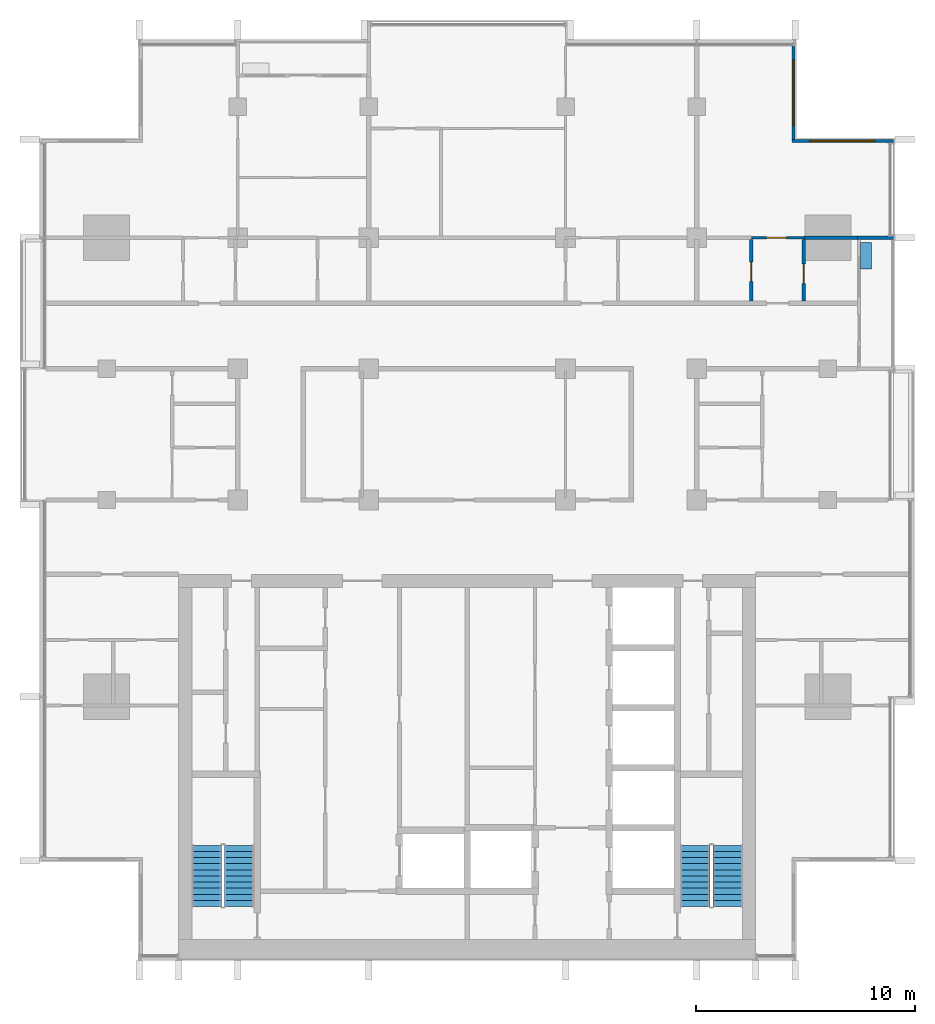
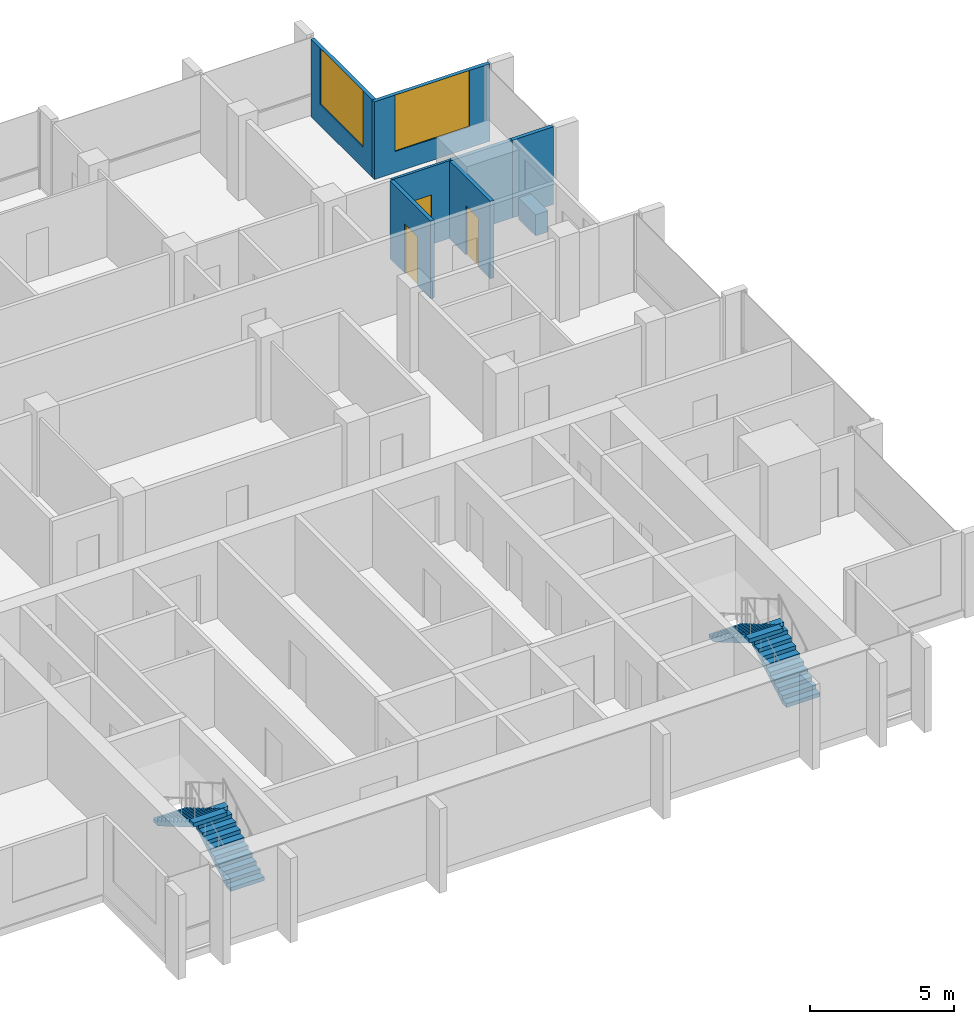
# One storey, part 11 of 16: 8 walls, 4 stair flights, 3 doors, 2 windows, 5 openings, 2 elements without a shape of their own.
"""IFC4 building model written with IfcOpenShell, lengths in metres."""

from ifc_helpers import new_model, si_unit, direction, frame, frame_2d, origin, place, context, subcontext, project, spatial, polyline, rectangle, outline, extrude, material, layer, layer_set, type_object, element, fill, aggregate, save


model = new_model("IFC4")

# Units and contexts
model_context = context("Model", 3, precision=1e-05, world=origin(), true_north=direction((0.0, 1.0)))
body_context = subcontext(model_context, "Body", "Model", "MODEL_VIEW")
ifc_project = project(units=[si_unit("LENGTHUNIT", "METRE"), si_unit("AREAUNIT", "SQUARE_METRE"), si_unit("VOLUMEUNIT", "CUBIC_METRE"), si_unit("PLANEANGLEUNIT", "RADIAN"), si_unit("MASSUNIT", "GRAM", prefix="KILO")], contexts=[model_context])

# Site, building, storey
site_placement = place(None, origin())
site = spatial("IfcSite", under=ifc_project, at=site_placement, CompositionType="ELEMENT")
building_placement = place(site_placement, origin())
building = spatial("IfcBuilding", under=site, at=building_placement, Name="Finial Court Residences", CompositionType="ELEMENT")
storey_placement = place(building_placement, frame((0.0, 0.0, 237.5)))
storey = spatial("IfcBuildingStorey", under=building, at=storey_placement, Name="L60", CompositionType="ELEMENT", Elevation=237.5)

# Wall, opening, door
ifc_material_1 = material(Name="Gypsum board")
ifc_layer_1 = layer(ifc_material_1, 0.012451171875)
ifc_material_2 = material(Name="Mineral wool in light-gauge frame")
ifc_layer_2 = layer(ifc_material_2, 0.074951171875)
ifc_layer_3 = layer(ifc_material_1, 0.012451171875)
ifc_layer_set_1 = layer_set([ifc_layer_1, ifc_layer_2, ifc_layer_3], Name="Gypsum board partition 100")
wall_type_1 = type_object("IfcWallType", Name="Gypsum board partition 100", PredefinedType="PARTITIONING", material=ifc_layer_set_1)
wall_1_placement = place(storey_placement, frame((13.0, 7.5, 0.0), z_axis=(0.0, 0.0, 1.0), x_axis=(1.0, 0.0, 0.0)))
wall_1 = element("IfcWall", 1, at=wall_1_placement, inside=storey, type_object=wall_type_1, Name="Partition L60-020", PredefinedType="PARTITIONING", context=body_context, shape_type="SweptSolid", body=[
    extrude(rectangle(XDim=2.39990234375, YDim=0.10009765625, at=frame_2d((1.199951171875, 0.0))), origin(), (0.0, 0.0, 1.0), 3.300048828125),
])
opening_1_placement = place(wall_1_placement, frame((0.699951171875, 0.0, 0.0)))
opening_1 = element("IfcOpeningElement", 2, at=opening_1_placement, cuts=wall_1, Name="Opening L60-D021", PredefinedType="OPENING", context=body_context, shape_type="SweptSolid", body=[
    extrude(rectangle(XDim=0.89990234375, YDim=2.10009765625, at=frame_2d((0.449951171875, 1.050048828125))), frame((0.0, 0.06005859375, 0.0), z_axis=(0.0, -1.0, 0.0), x_axis=(1.0, 0.0, 0.0)), (0.0, 0.0, 1.0), 0.1201171875),
])
ifc_material_3 = material(Name="Timber door leaf in timber frame", Category="wood")
door_type = type_object("IfcDoorType", Name="Door set 900 x 2100", OperationType="SINGLE_SWING_LEFT", PredefinedType="DOOR", material=ifc_material_3)
door_1_placement = place(opening_1_placement, origin())
door_1 = element("IfcDoor", 3, at=door_1_placement, inside=storey, type_object=door_type, Name="Door L60-D021", OperationType="SINGLE_SWING_RIGHT", OverallHeight=2.10009765625, OverallWidth=0.89990234375, PredefinedType="DOOR", context=body_context, shape_type="SweptSolid", body=[
    extrude(rectangle(XDim=0.89990234375, YDim=2.10009765625, at=frame_2d((0.449951171875, 1.050048828125))), frame((0.0, 0.02490234375, 0.0), z_axis=(0.0, -1.0, 0.0), x_axis=(1.0, 0.0, 0.0)), (0.0, 0.0, 1.0), 0.050048828125),
])
fill(opening_1, door_1)

# Wall
ifc_material_4 = material(Name="Moisture-resistant gypsum board")
ifc_layer_4 = layer(ifc_material_4, 0.012451171875)
ifc_layer_5 = layer(ifc_material_2, 0.125)
ifc_layer_6 = layer(ifc_material_4, 0.012451171875)
ifc_layer_set_2 = layer_set([ifc_layer_4, ifc_layer_5, ifc_layer_6], Name="Gypsum board wet-area partition 150")
wall_type_2 = type_object("IfcWallType", Name="Gypsum board wet-area partition 150", PredefinedType="PARTITIONING", material=ifc_layer_set_2)
wall_2_placement = place(storey_placement, frame((15.39990234375, 7.5, 0.0), z_axis=(0.0, 0.0, 1.0), x_axis=(1.0, 0.0, 0.0)))
element("IfcWall", 4, at=wall_2_placement, inside=storey, type_object=wall_type_2, Name="Partition L60-025", PredefinedType="PARTITIONING", context=body_context, shape_type="SweptSolid", body=[
    extrude(rectangle(XDim=2.4501953125, YDim=0.14990234375, at=frame_2d((1.22509765625, 0.0))), origin(), (0.0, 0.0, 1.0), 3.300048828125),
])

# Wall, opening, door
wall_3_placement = place(storey_placement, frame((13.0, 4.60009765625, 0.0), z_axis=(0.0, 0.0, 1.0), x_axis=(0.0, 1.0, 0.0)))
wall_3 = element("IfcWall", 5, at=wall_3_placement, inside=storey, type_object=wall_type_2, Name="Partition L60-050", PredefinedType="PARTITIONING", context=body_context, shape_type="SweptSolid", body=[
    extrude(rectangle(XDim=2.824951171875, YDim=0.14990234375, at=frame_2d((1.41259765625, 0.0))), origin(), (0.0, 0.0, 1.0), 3.300048828125),
])
opening_2_placement = place(wall_3_placement, frame((0.89990234375, 0.0, 0.0)))
opening_2 = element("IfcOpeningElement", 6, at=opening_2_placement, cuts=wall_3, Name="Opening L60-D034", PredefinedType="OPENING", context=body_context, shape_type="SweptSolid", body=[
    extrude(rectangle(XDim=0.89990234375, YDim=2.10009765625, at=frame_2d((0.449951171875, 1.050048828125))), frame((0.0, 0.0849609375, 0.0), z_axis=(0.0, -1.0, 0.0), x_axis=(1.0, 0.0, 0.0)), (0.0, 0.0, 1.0), 0.169921875),
])
door_2_placement = place(opening_2_placement, origin())
door_2 = element("IfcDoor", 7, at=door_2_placement, inside=storey, type_object=door_type, Name="Door L60-D034", OperationType="SINGLE_SWING_RIGHT", OverallHeight=2.10009765625, OverallWidth=0.89990234375, PredefinedType="DOOR", context=body_context, shape_type="SweptSolid", body=[
    extrude(rectangle(XDim=0.89990234375, YDim=2.10009765625, at=frame_2d((0.449951171875, 1.050048828125))), frame((0.0, 0.02490234375, 0.0), z_axis=(0.0, -1.0, 0.0), x_axis=(1.0, 0.0, 0.0)), (0.0, 0.0, 1.0), 0.050048828125),
])
fill(opening_2, door_2)

wall_4_placement = place(storey_placement, frame((15.39990234375, 4.60009765625, 0.0), z_axis=(0.0, 0.0, 1.0), x_axis=(0.0, 1.0, 0.0)))
wall_4 = element("IfcWall", 8, at=wall_4_placement, inside=storey, type_object=wall_type_2, Name="Partition L60-053", PredefinedType="PARTITIONING", context=body_context, shape_type="SweptSolid", body=[
    extrude(rectangle(XDim=2.824951171875, YDim=0.14990234375, at=frame_2d((1.41259765625, 0.0))), origin(), (0.0, 0.0, 1.0), 3.300048828125),
])
opening_3_placement = place(wall_4_placement, frame((0.800048828125, 0.0, 0.0)))
opening_3 = element("IfcOpeningElement", 9, at=opening_3_placement, cuts=wall_4, Name="Opening L60-D037", PredefinedType="OPENING", context=body_context, shape_type="SweptSolid", body=[
    extrude(rectangle(XDim=0.89990234375, YDim=2.10009765625, at=frame_2d((0.449951171875, 1.050048828125))), frame((0.0, 0.0849609375, 0.0), z_axis=(0.0, -1.0, 0.0), x_axis=(1.0, 0.0, 0.0)), (0.0, 0.0, 1.0), 0.169921875),
])
door_3_placement = place(opening_3_placement, origin())
door_3 = element("IfcDoor", 10, at=door_3_placement, inside=storey, type_object=door_type, Name="Door L60-D037", OperationType="SINGLE_SWING_LEFT", OverallHeight=2.10009765625, OverallWidth=0.89990234375, PredefinedType="DOOR", context=body_context, shape_type="SweptSolid", body=[
    extrude(rectangle(XDim=0.89990234375, YDim=2.10009765625, at=frame_2d((0.449951171875, 1.050048828125))), frame((0.0, 0.02490234375, 0.0), z_axis=(0.0, -1.0, 0.0), x_axis=(1.0, 0.0, 0.0)), (0.0, 0.0, 1.0), 0.050048828125),
])
fill(opening_3, door_3)

# Wall, opening, window
ifc_material_5 = material(Name="Natural limestone", Category="masonry")
ifc_layer_7 = layer(ifc_material_5, 0.14990234375)
ifc_layer_set_3 = layer_set([ifc_layer_7], Name="Limestone clad wall 150")
wall_type_3 = type_object("IfcWallType", Name="Limestone clad wall 150", PredefinedType="SOLIDWALL", material=ifc_layer_set_3)
wall_5_placement = place(storey_placement, frame((14.925048828125, 16.262451171875, 0.0), z_axis=(0.0, 0.0, 1.0), x_axis=(0.0, -1.0, 0.0)))
wall_5 = element("IfcWall", 11, at=wall_5_placement, inside=storey, type_object=wall_type_3, Name="E-L60-NWE19", PredefinedType="SOLIDWALL", context=body_context, shape_type="SweptSolid", body=[
    extrude(rectangle(XDim=4.262451171875, YDim=0.14990234375, at=frame_2d((2.13134765625, 0.0))), origin(), (0.0, 0.0, 1.0), 3.300048828125),
])
opening_4_placement = place(wall_5_placement, frame((0.631103515625, 0.0, 0.89990234375)))
opening_4 = element("IfcOpeningElement", 12, at=opening_4_placement, cuts=wall_5, Name="Opening WE60-07", PredefinedType="OPENING", context=body_context, shape_type="SweptSolid", body=[
    extrude(rectangle(XDim=3.0, YDim=2.39990234375, at=frame_2d((1.5, 1.199951171875))), frame((0.0, 0.0849609375, 0.0), z_axis=(0.0, -1.0, 0.0), x_axis=(1.0, 0.0, 0.0)), (0.0, 0.0, 1.0), 0.169921875),
])
ifc_material_6 = material(Name="Clear low-e glass", Category="glass")
window_type = type_object("IfcWindowType", Name="Corner window 3000 x 2400", PartitioningType="SINGLE_PANEL", PredefinedType="WINDOW", material=ifc_material_6)
window_1_placement = place(opening_4_placement, origin())
window_1 = element("IfcWindow", 13, at=window_1_placement, inside=storey, type_object=window_type, Name="E-L60-NWE19-W1", OverallHeight=2.39990234375, OverallWidth=3.0, PartitioningType="SINGLE_PANEL", PredefinedType="WINDOW", context=body_context, shape_type="SweptSolid", body=[
    extrude(rectangle(XDim=3.0, YDim=2.39990234375, at=frame_2d((1.5, 1.199951171875))), frame((0.0, 0.030029296875, 0.0), z_axis=(0.0, -1.0, 0.0), x_axis=(1.0, 0.0, 0.0)), (0.0, 0.0, 1.0), 0.06005859375),
])
fill(opening_4, window_1)

wall_6_placement = place(storey_placement, frame((14.85009765625, 11.925048828125, 0.0), z_axis=(0.0, 0.0, 1.0), x_axis=(1.0, 0.0, 0.0)))
wall_6 = element("IfcWall", 14, at=wall_6_placement, inside=storey, type_object=wall_type_3, Name="E-L60-NWN20", PredefinedType="SOLIDWALL", context=body_context, shape_type="SweptSolid", body=[
    extrude(rectangle(XDim=4.64990234375, YDim=0.14990234375, at=frame_2d((2.324951171875, 0.0))), origin(), (0.0, 0.0, 1.0), 3.300048828125),
])
opening_5_placement = place(wall_6_placement, frame((0.824951171875, 0.0, 0.89990234375)))
opening_5 = element("IfcOpeningElement", 15, at=opening_5_placement, cuts=wall_6, Name="Opening WE60-08", PredefinedType="OPENING", context=body_context, shape_type="SweptSolid", body=[
    extrude(rectangle(XDim=3.0, YDim=2.39990234375, at=frame_2d((1.5, 1.199951171875))), frame((0.0, 0.0849609375, 0.0), z_axis=(0.0, -1.0, 0.0), x_axis=(1.0, 0.0, 0.0)), (0.0, 0.0, 1.0), 0.169921875),
])
window_2_placement = place(opening_5_placement, origin())
window_2 = element("IfcWindow", 16, at=window_2_placement, inside=storey, type_object=window_type, Name="E-L60-NWN20-W1", OverallHeight=2.39990234375, OverallWidth=3.0, PartitioningType="SINGLE_PANEL", PredefinedType="WINDOW", context=body_context, shape_type="SweptSolid", body=[
    extrude(rectangle(XDim=3.0, YDim=2.39990234375, at=frame_2d((1.5, 1.199951171875))), frame((0.0, 0.030029296875, 0.0), z_axis=(0.0, -1.0, 0.0), x_axis=(1.0, 0.0, 0.0)), (0.0, 0.0, 1.0), 0.06005859375),
])
fill(opening_5, window_2)

# Walls
wall_7_placement = place(storey_placement, frame((17.85009765625, 7.5, 0.0), z_axis=(0.0, 0.0, 1.0), x_axis=(1.0, 0.0, 0.0)))
element("IfcWall", 17, at=wall_7_placement, inside=storey, type_object=wall_type_3, Name="E-L60-BALE4-P2", PredefinedType="SOLIDWALL", context=body_context, shape_type="SweptSolid", body=[
    extrude(rectangle(XDim=1.64990234375, YDim=0.14990234375, at=frame_2d((0.824951171875, 0.0))), origin(), (0.0, 0.0, 1.0), 3.300048828125),
])
ifc_material_7 = material(Name="Concrete C40/50", Category="concrete")
ifc_layer_8 = layer(ifc_material_7, 0.10009765625)
ifc_material_8 = material(Name="Planting soil", Category="soil")
ifc_layer_9 = layer(ifc_material_8, 0.300048828125)
ifc_layer_10 = layer(ifc_material_7, 0.10009765625)
ifc_layer_set_4 = layer_set([ifc_layer_8, ifc_layer_9, ifc_layer_10], Name="Planter wall, balcony")
wall_type_4 = type_object("IfcWallType", Name="Planter wall, balcony", PredefinedType="USERDEFINED", material=ifc_layer_set_4)
wall_8_placement = place(storey_placement, frame((18.25, 6.074951171875, 0.0), z_axis=(0.0, 0.0, 1.0), x_axis=(0.0, 1.0, 0.0)))
element("IfcWall", 18, at=wall_8_placement, inside=storey, type_object=wall_type_4, Name="E-L60-BALE4-PL", ObjectType="PLANTER", PredefinedType="USERDEFINED", context=body_context, shape_type="SweptSolid", body=[
    extrude(rectangle(XDim=1.199951171875, YDim=0.5, at=frame_2d((0.60009765625, 0.0))), origin(), (0.0, 0.0, 1.0), 0.89990234375),
])

# Stair, stair flights
ifc_material_9 = material(Name="Concrete C50/60", Category="concrete")
stair_type = type_object("IfcStairType", Name="Exit stair 22 risers of 163.6 mm", PredefinedType="HALF_TURN_STAIR", material=ifc_material_9)
stair_1_placement = place(storey_placement, origin())
stair_1 = element("IfcStair", 19, at=stair_1_placement, inside=storey, type_object=stair_type, Name="L60 Exit stair ST-1", PredefinedType="HALF_TURN_STAIR")
stair_flight_type = type_object("IfcStairFlightType", Name="Exit stair flight", PredefinedType="STRAIGHT", material=ifc_material_9)
stair_flight_1_placement = place(storey_placement, frame((-10.425048828125, -23.10009765625, 0.0), z_axis=(0.0, 0.0, 1.0), x_axis=(0.0, 1.0, 0.0)))
stair_flight_1 = element("IfcStairFlight", 20, at=stair_flight_1_placement, type_object=stair_flight_type, Name="ST-1 flight 1", NumberOfRisers=11, NumberOfTreads=10, PredefinedType="STRAIGHT", RiserHeight=0.163636364, TreadLength=0.28, context=body_context, shape_type="SweptSolid", body=[
    extrude(outline(polyline([(0.0, 0.0), (0.0, 0.16357421875), (0.280029296875, 0.16357421875), (0.280029296875, 0.327392578125), (0.56005859375, 0.327392578125), (0.56005859375, 0.490966796875), (0.840087890625, 0.490966796875), (0.840087890625, 0.654541015625), (1.1201171875, 0.654541015625), (1.1201171875, 0.818115234375), (1.39990234375, 0.818115234375), (1.39990234375, 0.98193359375), (1.679931640625, 0.98193359375), (1.679931640625, 1.1455078125), (1.9599609375, 1.1455078125), (1.9599609375, 1.30908203125), (2.239990234375, 1.30908203125), (2.239990234375, 1.47265625), (2.52001953125, 1.47265625), (2.52001953125, 1.636474609375), (2.800048828125, 1.636474609375), (2.800048828125, 1.800048828125), (2.800048828125, 1.462646484375), (0.297119140625, 0.0), (0.0, 0.0)])), frame((0.0, 0.675048828125, 0.0), z_axis=(0.0, -1.0, 0.0), x_axis=(1.0, 0.0, 0.0)), (0.0, 0.0, 1.0), 1.35009765625),
])
stair_flight_2_placement = place(storey_placement, frame((-11.925048828125, -20.300048828125, 1.800048828125), z_axis=(0.0, 0.0, 1.0), x_axis=(0.0, -1.0, 0.0)))
stair_flight_2 = element("IfcStairFlight", 21, at=stair_flight_2_placement, type_object=stair_flight_type, Name="ST-1 flight 2", NumberOfRisers=11, NumberOfTreads=10, PredefinedType="STRAIGHT", RiserHeight=0.163636364, TreadLength=0.28, context=body_context, shape_type="SweptSolid", body=[
    extrude(outline(polyline([(0.0, 0.0), (0.0, 0.16357421875), (0.280029296875, 0.16357421875), (0.280029296875, 0.327392578125), (0.56005859375, 0.327392578125), (0.56005859375, 0.490966796875), (0.840087890625, 0.490966796875), (0.840087890625, 0.654541015625), (1.1201171875, 0.654541015625), (1.1201171875, 0.818115234375), (1.39990234375, 0.818115234375), (1.39990234375, 0.98193359375), (1.679931640625, 0.98193359375), (1.679931640625, 1.1455078125), (1.9599609375, 1.1455078125), (1.9599609375, 1.30908203125), (2.239990234375, 1.30908203125), (2.239990234375, 1.47265625), (2.52001953125, 1.47265625), (2.52001953125, 1.636474609375), (2.800048828125, 1.636474609375), (2.800048828125, 1.800048828125), (2.800048828125, 1.462646484375), (0.297119140625, 0.0), (0.0, 0.0)])), frame((0.0, 0.675048828125, 0.0), z_axis=(0.0, -1.0, 0.0), x_axis=(1.0, 0.0, 0.0)), (0.0, 0.0, 1.0), 1.35009765625),
])
aggregate(stair_1, [stair_flight_1, stair_flight_2])

stair_2_placement = place(storey_placement, origin())
stair_2 = element("IfcStair", 22, at=stair_2_placement, inside=storey, type_object=stair_type, Name="L60 Exit stair ST-2", PredefinedType="HALF_TURN_STAIR")
stair_flight_3_placement = place(storey_placement, frame((11.925048828125, -23.10009765625, 0.0), z_axis=(0.0, 0.0, 1.0), x_axis=(0.0, 1.0, 0.0)))
stair_flight_3 = element("IfcStairFlight", 23, at=stair_flight_3_placement, type_object=stair_flight_type, Name="ST-2 flight 1", NumberOfRisers=11, NumberOfTreads=10, PredefinedType="STRAIGHT", RiserHeight=0.163636364, TreadLength=0.28, context=body_context, shape_type="SweptSolid", body=[
    extrude(outline(polyline([(0.0, 0.0), (0.0, 0.16357421875), (0.280029296875, 0.16357421875), (0.280029296875, 0.327392578125), (0.56005859375, 0.327392578125), (0.56005859375, 0.490966796875), (0.840087890625, 0.490966796875), (0.840087890625, 0.654541015625), (1.1201171875, 0.654541015625), (1.1201171875, 0.818115234375), (1.39990234375, 0.818115234375), (1.39990234375, 0.98193359375), (1.679931640625, 0.98193359375), (1.679931640625, 1.1455078125), (1.9599609375, 1.1455078125), (1.9599609375, 1.30908203125), (2.239990234375, 1.30908203125), (2.239990234375, 1.47265625), (2.52001953125, 1.47265625), (2.52001953125, 1.636474609375), (2.800048828125, 1.636474609375), (2.800048828125, 1.800048828125), (2.800048828125, 1.462646484375), (0.297119140625, 0.0), (0.0, 0.0)])), frame((0.0, 0.675048828125, 0.0), z_axis=(0.0, -1.0, 0.0), x_axis=(1.0, 0.0, 0.0)), (0.0, 0.0, 1.0), 1.35009765625),
])
stair_flight_4_placement = place(storey_placement, frame((10.425048828125, -20.300048828125, 1.800048828125), z_axis=(0.0, 0.0, 1.0), x_axis=(0.0, -1.0, 0.0)))
stair_flight_4 = element("IfcStairFlight", 24, at=stair_flight_4_placement, type_object=stair_flight_type, Name="ST-2 flight 2", NumberOfRisers=11, NumberOfTreads=10, PredefinedType="STRAIGHT", RiserHeight=0.163636364, TreadLength=0.28, context=body_context, shape_type="SweptSolid", body=[
    extrude(outline(polyline([(0.0, 0.0), (0.0, 0.16357421875), (0.280029296875, 0.16357421875), (0.280029296875, 0.327392578125), (0.56005859375, 0.327392578125), (0.56005859375, 0.490966796875), (0.840087890625, 0.490966796875), (0.840087890625, 0.654541015625), (1.1201171875, 0.654541015625), (1.1201171875, 0.818115234375), (1.39990234375, 0.818115234375), (1.39990234375, 0.98193359375), (1.679931640625, 0.98193359375), (1.679931640625, 1.1455078125), (1.9599609375, 1.1455078125), (1.9599609375, 1.30908203125), (2.239990234375, 1.30908203125), (2.239990234375, 1.47265625), (2.52001953125, 1.47265625), (2.52001953125, 1.636474609375), (2.800048828125, 1.636474609375), (2.800048828125, 1.800048828125), (2.800048828125, 1.462646484375), (0.297119140625, 0.0), (0.0, 0.0)])), frame((0.0, 0.675048828125, 0.0), z_axis=(0.0, -1.0, 0.0), x_axis=(1.0, 0.0, 0.0)), (0.0, 0.0, 1.0), 1.35009765625),
])
aggregate(stair_2, [stair_flight_3, stair_flight_4])

save(model, "model.ifc")
